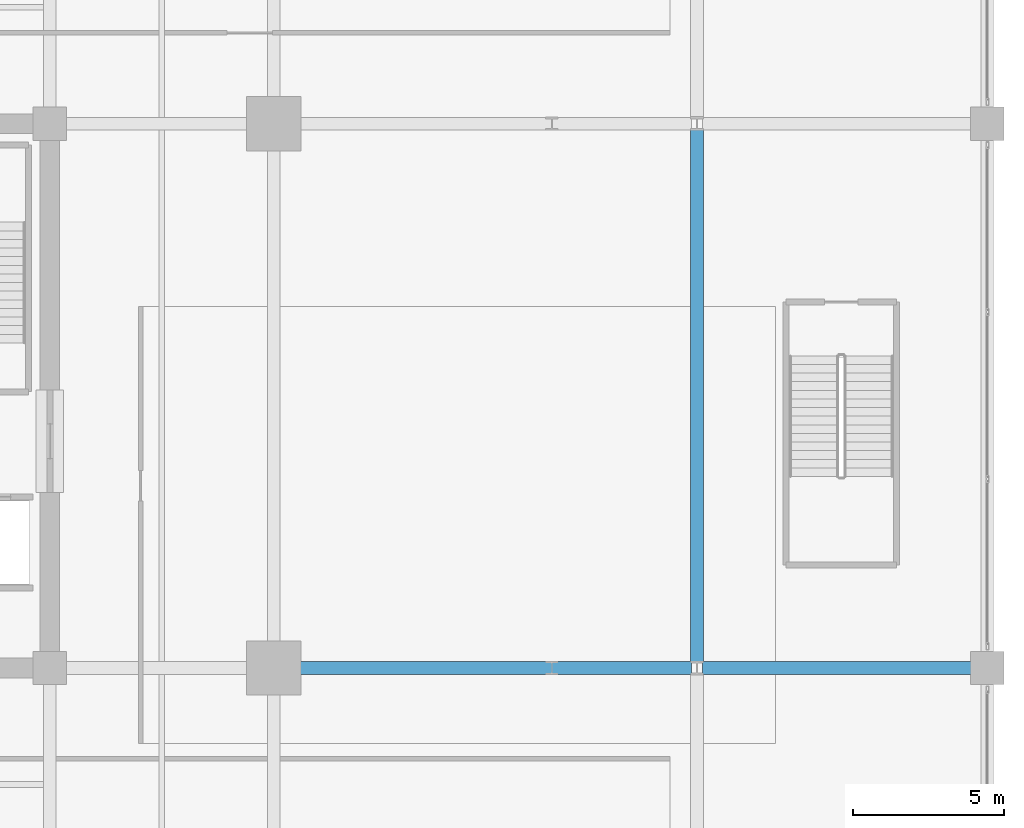
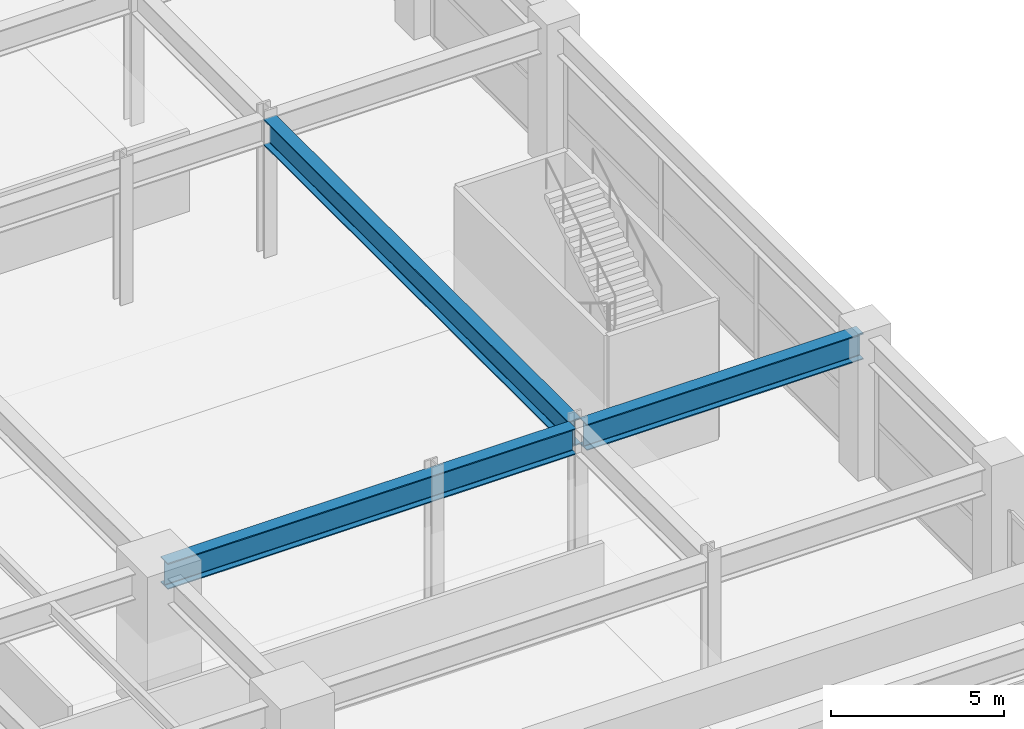
# One storey, part 28 of 45: 3 beams.
"""IFC4 building model written with IfcOpenShell, lengths in metres."""

from ifc_helpers import new_model, si_unit, direction, frame, origin, origin_2d, place, context, subcontext, project, spatial, i_section, extrude, material, material_profile, profile_set, type_object, element, save


model = new_model("IFC4")

# Units and contexts
model_context = context("Model", 3, precision=1e-05, world=origin(), true_north=direction((0.0, 1.0)))
body_context = subcontext(model_context, "Body", "Model", "MODEL_VIEW")
ifc_project = project(units=[si_unit("LENGTHUNIT", "METRE"), si_unit("AREAUNIT", "SQUARE_METRE"), si_unit("VOLUMEUNIT", "CUBIC_METRE"), si_unit("PLANEANGLEUNIT", "RADIAN"), si_unit("MASSUNIT", "GRAM", prefix="KILO")], contexts=[model_context])

# Site, building, storey
site_placement = place(None, origin())
site = spatial("IfcSite", under=ifc_project, at=site_placement, CompositionType="ELEMENT")
building_placement = place(site_placement, origin())
building = spatial("IfcBuilding", under=site, at=building_placement, Name="Kovane Verandah Tower", CompositionType="ELEMENT")
storey_placement = place(building_placement, frame((0.0, 0.0, 6.0)))
storey = spatial("IfcBuildingStorey", under=building, at=storey_placement, Name="L01", CompositionType="ELEMENT", Elevation=6.0)

# Beams
ifc_material = material(Name="Steel S460", Category="steel")
ifc_material_profile = material_profile(ifc_material, i_section(OverallWidth=0.42041015625, OverallDepth=0.9208984375, WebThickness=0.021484375, FlangeThickness=0.03662109375, FilletRadius=0.024169921875, at=origin_2d()), Name="UB914x419x388")
ifc_profile_set = profile_set([ifc_material_profile], Name="Steel S460")
beam_type = type_object("IfcBeamType", Name="BM-UB914x388", PredefinedType="BEAM", material=ifc_profile_set)
beam_1_placement = place(storey_placement, frame((58.580078125, 18.5, 4.439453125), z_axis=(1.0, 0.0, 0.0), x_axis=(0.0, 1.0, 0.0)))
element("IfcBeam", 1, at=beam_1_placement, inside=storey, type_object=beam_type, Name="L01 Podium Grid Girder X07", PredefinedType="BEAM", context=body_context, shape_type="SweptSolid", body=[
    extrude(i_section(OverallWidth=0.42041015625, OverallDepth=0.9208984375, WebThickness=0.021484375, FlangeThickness=0.03662109375, FilletRadius=0.024169921875, at=origin_2d()), origin(), (0.0, 0.0, 1.0), 13.639892578125),
])
beam_2_placement = place(storey_placement, frame((72.580078125, 18.5, 4.439453125), z_axis=(1.0, 0.0, 0.0), x_axis=(0.0, 1.0, 0.0)))
element("IfcBeam", 2, at=beam_2_placement, inside=storey, type_object=beam_type, Name="L01 Podium Grid Girder X08", PredefinedType="BEAM", context=body_context, shape_type="SweptSolid", body=[
    extrude(i_section(OverallWidth=0.42041015625, OverallDepth=0.9208984375, WebThickness=0.021484375, FlangeThickness=0.03662109375, FilletRadius=0.024169921875, at=origin_2d()), origin(), (0.0, 0.0, 1.0), 9.239990234375),
])
beam_3_placement = place(storey_placement, frame((72.39990234375, 18.679931640625, 4.439453125), z_axis=(0.0, 1.0, 0.0), x_axis=(-1.0, 0.0, 0.0)))
element("IfcBeam", 3, at=beam_3_placement, inside=storey, type_object=beam_type, Name="L01 Podium Grid Girder Y37", PredefinedType="BEAM", context=body_context, shape_type="SweptSolid", body=[
    extrude(i_section(OverallWidth=0.42041015625, OverallDepth=0.9208984375, WebThickness=0.021484375, FlangeThickness=0.03662109375, FilletRadius=0.024169921875, at=origin_2d()), origin(), (0.0, 0.0, 1.0), 17.64013671875),
])

save(model, "model.ifc")
